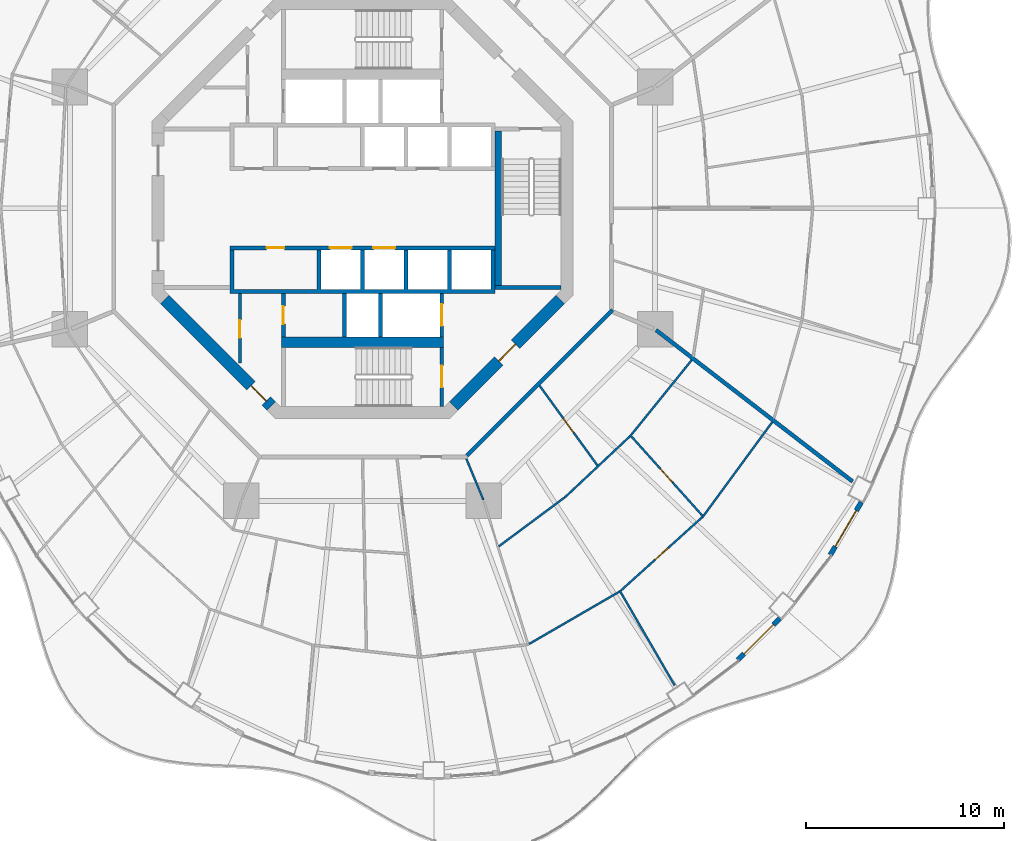
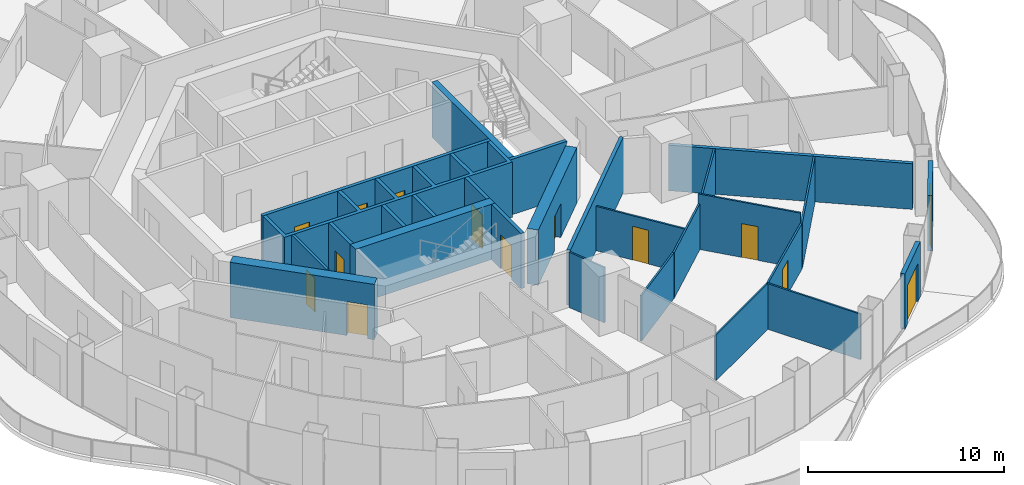
# One storey, part 12 of 19: 27 walls, 14 doors, 14 openings.
"""IFC4 building model written with IfcOpenShell, lengths in metres."""

from ifc_helpers import new_model, si_unit, direction, frame, frame_2d, origin, place, context, subcontext, project, spatial, polyline, rectangle, outline, extrude, material, layer, layer_set, type_object, element, fill, save


model = new_model("IFC4")

# Units and contexts
model_context = context("Model", 3, precision=1e-05, world=origin(), true_north=direction((0.0, 1.0)))
body_context = subcontext(model_context, "Body", "Model", "MODEL_VIEW")
ifc_project = project(units=[si_unit("LENGTHUNIT", "METRE"), si_unit("AREAUNIT", "SQUARE_METRE"), si_unit("VOLUMEUNIT", "CUBIC_METRE"), si_unit("PLANEANGLEUNIT", "RADIAN"), si_unit("MASSUNIT", "GRAM", prefix="KILO")], contexts=[model_context])

# Site, building, storey
site_placement = place(None, origin())
site = spatial("IfcSite", under=ifc_project, at=site_placement, CompositionType="ELEMENT")
building_placement = place(site_placement, origin())
building = spatial("IfcBuilding", under=site, at=building_placement, Name="Nagisa Residences", CompositionType="ELEMENT")
storey_placement = place(building_placement, frame((0.0, 0.0, 180.699951171875)))
storey = spatial("IfcBuildingStorey", under=building, at=storey_placement, Name="L45", CompositionType="ELEMENT", Elevation=180.699951171875)

# Walls
ifc_material_1 = material(Name="Gypsum board on steel studs", Category="steel")
ifc_layer_1 = layer(ifc_material_1, 0.199951171875)
ifc_layer_set_1 = layer_set([ifc_layer_1], Name="Apartment compartment wall EI60 200")
wall_type_1 = type_object("IfcWallType", Name="Apartment compartment wall EI60 200", PredefinedType="PARTITIONING", material=ifc_layer_set_1)
wall_1_placement = place(storey_placement, frame((14.82177734375, -6.153564453125, 0.0), z_axis=(0.0, 0.0, 1.0), x_axis=(0.792203056092, -0.610257583254, 0.0)))
element("IfcWall", 1, at=wall_1_placement, inside=storey, type_object=wall_type_1, Name="wall:L45:u07", PredefinedType="PARTITIONING", context=body_context, shape_type="SweptSolid", body=[
    extrude(rectangle(XDim=12.53271484375, YDim=0.199951171875, at=frame_2d((6.266357421875, 0.0))), origin(), (0.0, 0.0, 1.0), 2.837158203125),
])
ifc_material_2 = material(Name="Gypsum board on steel studs", Category="steel")
ifc_layer_2 = layer(ifc_material_2, 0.199951171875)
ifc_layer_set_2 = layer_set([ifc_layer_2], Name="Apartment entry wall EI60 200")
wall_type_2 = type_object("IfcWallType", Name="Apartment entry wall EI60 200", PredefinedType="PARTITIONING", material=ifc_layer_set_2)
wall_2_placement = place(storey_placement, frame((5.275146484375, -12.494140625, 0.0), z_axis=(0.0, 0.0, 1.0), x_axis=(0.707106781187, 0.707106781187, 0.0)))
element("IfcWall", 2, at=wall_2_placement, inside=storey, type_object=wall_type_2, Name="wall:L45:u15", PredefinedType="PARTITIONING", context=body_context, shape_type="SweptSolid", body=[
    extrude(rectangle(XDim=10.4091796875, YDim=0.199951171875, at=frame_2d((5.20458984375, 0.0))), origin(), (0.0, 0.0, 1.0), 3.43994140625),
])
ifc_material_3 = material(Name="Gypsum board on steel studs", Category="steel")
ifc_layer_3 = layer(ifc_material_3, 0.10009765625)
ifc_layer_set_3 = layer_set([ifc_layer_3], Name="Apartment partition 100")
wall_type_3 = type_object("IfcWallType", Name="Apartment partition 100", PredefinedType="PARTITIONING", material=ifc_layer_set_3)
wall_3_placement = place(storey_placement, frame((5.24267578125, -12.6572265625, 0.0), z_axis=(0.0, 0.0, 1.0), x_axis=(0.382719158442, -0.923864733477, 0.0)))
element("IfcWall", 3, at=wall_3_placement, inside=storey, type_object=wall_type_3, Name="wall:L45:u77", PredefinedType="PARTITIONING", context=body_context, shape_type="SweptSolid", body=[
    extrude(rectangle(XDim=2.25, YDim=0.10009765625, at=frame_2d((1.125, 0.0))), origin(), (0.0, 0.0, 1.0), 3.43994140625),
])
wall_4_placement = place(storey_placement, frame((6.881103515625, -17.07958984375, 0.0), z_axis=(0.0, 0.0, 1.0), x_axis=(0.802784956441, 0.596268659005, 0.0)))
element("IfcWall", 4, at=wall_4_placement, inside=storey, type_object=wall_type_3, Name="wall:L45:u79", PredefinedType="PARTITIONING", context=body_context, shape_type="SweptSolid", body=[
    extrude(rectangle(XDim=4.142333984375, YDim=0.10009765625, at=frame_2d((2.0712890625, 0.0))), origin(), (0.0, 0.0, 1.0), 2.837158203125),
])
wall_5_placement = place(storey_placement, frame((8.405029296875, -22.01318359375, 0.0), z_axis=(0.0, 0.0, 1.0), x_axis=(0.865277177388, 0.501293732547, 0.0)))
element("IfcWall", 5, at=wall_5_placement, inside=storey, type_object=wall_type_3, Name="wall:L45:u80", PredefinedType="PARTITIONING", context=body_context, shape_type="SweptSolid", body=[
    extrude(rectangle(XDim=5.27001953125, YDim=0.10009765625, at=frame_2d((2.635009765625, 0.0))), origin(), (0.0, 0.0, 1.0), 2.837158203125),
])
wall_6_placement = place(storey_placement, frame((10.21044921875, -14.614013671875, 0.0), z_axis=(0.0, 0.0, 1.0), x_axis=(0.728883199496, 0.684638066055, 0.0)))
element("IfcWall", 6, at=wall_6_placement, inside=storey, type_object=wall_type_3, Name="wall:L45:u81", PredefinedType="PARTITIONING", context=body_context, shape_type="SweptSolid", body=[
    extrude(rectangle(XDim=4.519287109375, YDim=0.10009765625, at=frame_2d((2.259765625, 0.0))), origin(), (0.0, 0.0, 1.0), 2.837158203125),
])
wall_7_placement = place(storey_placement, frame((12.983154296875, -19.302978515625, 0.0), z_axis=(0.0, 0.0, 1.0), x_axis=(0.501315846071, -0.865264365659, 0.0)))
element("IfcWall", 7, at=wall_7_placement, inside=storey, type_object=wall_type_3, Name="wall:L45:u82", PredefinedType="PARTITIONING", context=body_context, shape_type="SweptSolid", body=[
    extrude(rectangle(XDim=5.54150390625, YDim=0.10009765625, at=frame_2d((2.770751953125, 0.0))), origin(), (0.0, 0.0, 1.0), 2.837158203125),
])

# Wall, opening, door
wall_8_placement = place(storey_placement, frame((13.04541015625, -19.312744140625, 0.0), z_axis=(0.0, 0.0, 1.0), x_axis=(0.742790086539, 0.66952437397, 0.0)))
wall_8 = element("IfcWall", 8, at=wall_8_placement, inside=storey, type_object=wall_type_3, Name="wall:L45:u83", PredefinedType="PARTITIONING", context=body_context, shape_type="SweptSolid", body=[
    extrude(rectangle(XDim=5.54150390625, YDim=0.10009765625, at=frame_2d((2.770751953125, 0.0))), origin(), (0.0, 0.0, 1.0), 2.837158203125),
])
opening_1_placement = place(wall_8_placement, frame((2.32080078125, 0.0, 0.0)))
opening_1 = element("IfcOpeningElement", 9, at=opening_1_placement, cuts=wall_8, Name="Opening L45-U26", PredefinedType="OPENING", context=body_context, shape_type="SweptSolid", body=[
    extrude(rectangle(XDim=0.89990234375, YDim=2.10009765625, at=frame_2d((0.449951171875, 1.050048828125))), frame((0.0, 0.06005859375, 0.0), z_axis=(0.0, -1.0, 0.0), x_axis=(1.0, 0.0, 0.0)), (0.0, 0.0, 1.0), 0.1201171875),
])
ifc_material_4 = material(Name="Timber door set", Category="wood")
door_type_1 = type_object("IfcDoorType", Name="Apartment door 900x2100", OperationType="NOTDEFINED", PredefinedType="DOOR", material=ifc_material_4)
door_1_placement = place(opening_1_placement, frame((0.89990234375, 0.0, 0.0), x_axis=(-1.0, 0.0, 0.0)))
door_1 = element("IfcDoor", 10, at=door_1_placement, inside=storey, type_object=door_type_1, Name="Door to family room, Apartment 45B", OperationType="SINGLE_SWING_LEFT", OverallHeight=2.10009765625, OverallWidth=0.89990234375, PredefinedType="DOOR", context=body_context, shape_type="SweptSolid", body=[
    extrude(rectangle(XDim=0.89990234375, YDim=2.10009765625, at=frame_2d((0.449951171875, 1.050048828125))), frame((0.0, 0.02490234375, 0.0), z_axis=(0.0, -1.0, 0.0), x_axis=(1.0, 0.0, 0.0)), (0.0, 0.0, 1.0), 0.050048828125),
])
fill(opening_1, door_1)

wall_9_placement = place(storey_placement, frame((8.943359375, -8.965576171875, 0.0), z_axis=(0.0, 0.0, 1.0), x_axis=(0.587187896734, -0.809450661825, 0.0)))
wall_9 = element("IfcWall", 11, at=wall_9_placement, inside=storey, type_object=wall_type_3, Name="wall:L45:u84", PredefinedType="PARTITIONING", context=body_context, shape_type="SweptSolid", body=[
    extrude(rectangle(XDim=4.974853515625, YDim=0.10009765625, at=frame_2d((2.4873046875, 0.0))), origin(), (0.0, 0.0, 1.0), 2.756103515625),
])
opening_2_placement = place(wall_9_placement, frame((2.037353515625, 0.0, 0.0)))
opening_2 = element("IfcOpeningElement", 12, at=opening_2_placement, cuts=wall_9, Name="Opening L45-U20", PredefinedType="OPENING", context=body_context, shape_type="SweptSolid", body=[
    extrude(rectangle(XDim=0.89990234375, YDim=2.10009765625, at=frame_2d((0.449951171875, 1.050048828125))), frame((0.0, 0.06005859375, 0.0), z_axis=(0.0, -1.0, 0.0), x_axis=(1.0, 0.0, 0.0)), (0.0, 0.0, 1.0), 0.1201171875),
])
door_2_placement = place(opening_2_placement, origin())
door_2 = element("IfcDoor", 13, at=door_2_placement, inside=storey, type_object=door_type_1, Name="Door to store, Apartment 45B", OperationType="SINGLE_SWING_RIGHT", OverallHeight=2.10009765625, OverallWidth=0.89990234375, PredefinedType="DOOR", context=body_context, shape_type="SweptSolid", body=[
    extrude(rectangle(XDim=0.89990234375, YDim=2.10009765625, at=frame_2d((0.449951171875, 1.050048828125))), frame((0.0, 0.02490234375, 0.0), z_axis=(0.0, -1.0, 0.0), x_axis=(1.0, 0.0, 0.0)), (0.0, 0.0, 1.0), 0.050048828125),
])
fill(opening_2, door_2)

wall_10_placement = place(storey_placement, frame((13.50732421875, -11.44873046875, 0.0), z_axis=(0.0, 0.0, 1.0), x_axis=(0.667299792168, -0.744789223453, 0.0)))
wall_10 = element("IfcWall", 14, at=wall_10_placement, inside=storey, type_object=wall_type_3, Name="wall:L45:u85", PredefinedType="PARTITIONING", context=body_context, shape_type="SweptSolid", body=[
    extrude(rectangle(XDim=5.482177734375, YDim=0.10009765625, at=frame_2d((2.7412109375, 0.0))), origin(), (0.0, 0.0, 1.0), 3.43994140625),
])
opening_3_placement = place(wall_10_placement, frame((2.316162109375, 0.0, 0.0)))
opening_3 = element("IfcOpeningElement", 15, at=opening_3_placement, cuts=wall_10, Name="Opening L45-U23", PredefinedType="OPENING", context=body_context, shape_type="SweptSolid", body=[
    extrude(rectangle(XDim=0.89990234375, YDim=2.10009765625, at=frame_2d((0.449951171875, 1.050048828125))), frame((0.0, 0.06005859375, 0.0), z_axis=(0.0, -1.0, 0.0), x_axis=(1.0, 0.0, 0.0)), (0.0, 0.0, 1.0), 0.1201171875),
])
door_3_placement = place(opening_3_placement, origin())
door_3 = element("IfcDoor", 16, at=door_3_placement, inside=storey, type_object=door_type_1, Name="Door to kitchen, Apartment 45B", OperationType="SINGLE_SWING_LEFT", OverallHeight=2.10009765625, OverallWidth=0.89990234375, PredefinedType="DOOR", context=body_context, shape_type="SweptSolid", body=[
    extrude(rectangle(XDim=0.89990234375, YDim=2.10009765625, at=frame_2d((0.449951171875, 1.050048828125))), frame((0.0, 0.02490234375, 0.0), z_axis=(0.0, -1.0, 0.0), x_axis=(1.0, 0.0, 0.0)), (0.0, 0.0, 1.0), 0.050048828125),
])
fill(opening_3, door_3)

# Walls
wall_11_placement = place(storey_placement, frame((13.572265625, -11.447021484375, 0.0), z_axis=(0.0, 0.0, 1.0), x_axis=(0.628738316533, 0.777616955399, 0.0)))
element("IfcWall", 17, at=wall_11_placement, inside=storey, type_object=wall_type_3, Name="wall:L45:u86", PredefinedType="PARTITIONING", context=body_context, shape_type="SweptSolid", body=[
    extrude(rectangle(XDim=4.857177734375, YDim=0.10009765625, at=frame_2d((2.4287109375, 0.0))), origin(), (0.0, 0.0, 1.0), 2.837158203125),
])
wall_12_placement = place(storey_placement, frame((17.169189453125, -15.609375, 0.0), z_axis=(0.0, 0.0, 1.0), x_axis=(0.591122127251, 0.806582066918, 0.0)))
element("IfcWall", 18, at=wall_12_placement, inside=storey, type_object=wall_type_3, Name="wall:L45:u87", PredefinedType="PARTITIONING", context=body_context, shape_type="SweptSolid", body=[
    extrude(rectangle(XDim=5.960205078125, YDim=0.10009765625, at=frame_2d((2.97998046875, 0.0))), origin(), (0.0, 0.0, 1.0), 2.837158203125),
])

# Wall, opening, door
ifc_material_5 = material(Name="Precast concrete C40/50", Category="concrete")
ifc_layer_4 = layer(ifc_material_5, 0.25)
ifc_layer_set_4 = layer_set([ifc_layer_4], Name="BALCONY DOOR WALL 250")
wall_type_4 = type_object("IfcWallType", Name="BALCONY DOOR WALL 250", PredefinedType="SOLIDWALL", material=ifc_layer_set_4)
wall_13_placement = place(storey_placement, frame((21.065185546875, -20.7177734375, 0.0), z_axis=(0.0, 0.0, 1.0), x_axis=(-0.707844845069, -0.706367946122, 0.0)))
wall_13 = element("IfcWall", 19, at=wall_13_placement, inside=storey, type_object=wall_type_4, Name="wall:L45:bay41", PredefinedType="SOLIDWALL", context=body_context, shape_type="SweptSolid", body=[
    extrude(rectangle(XDim=2.9755859375, YDim=0.25, at=frame_2d((1.48779296875, 0.0))), origin(), (0.0, 0.0, 1.0), 3.43994140625),
])
opening_4_placement = place(wall_13_placement, frame((0.437744140625, 0.0, 0.0)))
opening_4 = element("IfcOpeningElement", 20, at=opening_4_placement, cuts=wall_13, Name="Opening BD-L45-14", PredefinedType="OPENING", context=body_context, shape_type="SweptSolid", body=[
    extrude(rectangle(XDim=2.10009765625, YDim=2.39990234375, at=frame_2d((1.050048828125, 1.199951171875))), frame((0.0, 0.135009765625, 0.0), z_axis=(0.0, -1.0, 0.0), x_axis=(1.0, 0.0, 0.0)), (0.0, 0.0, 1.0), 0.27001953125),
])
ifc_material_6 = material(Name="Aluminium and clear glass", Category="aluminium")
door_type_2 = type_object("IfcDoorType", Name="BALCONY SLIDING DOOR 2100x2400", OperationType="SLIDING_TO_LEFT", PredefinedType="DOOR", material=ifc_material_6)
door_4_placement = place(opening_4_placement, origin())
door_4 = element("IfcDoor", 21, at=door_4_placement, inside=storey, type_object=door_type_2, Name="door:L45:bay41", OperationType="SLIDING_TO_LEFT", OverallHeight=2.39990234375, OverallWidth=2.10009765625, PredefinedType="DOOR", context=body_context, shape_type="SweptSolid", body=[
    extrude(rectangle(XDim=2.10009765625, YDim=2.39990234375, at=frame_2d((1.050048828125, 1.199951171875))), frame((0.0, 0.02490234375, 0.0), z_axis=(0.0, -1.0, 0.0), x_axis=(1.0, 0.0, 0.0)), (0.0, 0.0, 1.0), 0.050048828125),
])
fill(opening_4, door_4)

wall_14_placement = place(storey_placement, frame((25.189208984375, -14.848388671875, 0.0), z_axis=(0.0, 0.0, 1.0), x_axis=(-0.506367803691, -0.862317602386, 0.0)))
wall_14 = element("IfcWall", 22, at=wall_14_placement, inside=storey, type_object=wall_type_4, Name="wall:L45:bay43", PredefinedType="SOLIDWALL", context=body_context, shape_type="SweptSolid", body=[
    extrude(rectangle(XDim=3.092041015625, YDim=0.25, at=frame_2d((1.5458984375, 0.0))), origin(), (0.0, 0.0, 1.0), 3.43994140625),
])
opening_5_placement = place(wall_14_placement, frame((0.495849609375, 0.0, 0.0)))
opening_5 = element("IfcOpeningElement", 23, at=opening_5_placement, cuts=wall_14, Name="Opening BD-L45-15", PredefinedType="OPENING", context=body_context, shape_type="SweptSolid", body=[
    extrude(rectangle(XDim=2.10009765625, YDim=2.39990234375, at=frame_2d((1.050048828125, 1.199951171875))), frame((0.0, 0.135009765625, 0.0), z_axis=(0.0, -1.0, 0.0), x_axis=(1.0, 0.0, 0.0)), (0.0, 0.0, 1.0), 0.27001953125),
])
door_5_placement = place(opening_5_placement, origin())
door_5 = element("IfcDoor", 24, at=door_5_placement, inside=storey, type_object=door_type_2, Name="door:L45:bay43", OperationType="SLIDING_TO_LEFT", OverallHeight=2.39990234375, OverallWidth=2.10009765625, PredefinedType="DOOR", context=body_context, shape_type="SweptSolid", body=[
    extrude(rectangle(XDim=2.10009765625, YDim=2.39990234375, at=frame_2d((1.050048828125, 1.199951171875))), frame((0.0, 0.02490234375, 0.0), z_axis=(0.0, -1.0, 0.0), x_axis=(1.0, 0.0, 0.0)), (0.0, 0.0, 1.0), 0.050048828125),
])
fill(opening_5, door_5)

ifc_material_7 = material(Name="Gypsum board on steel studs", Category="steel")
ifc_layer_5 = layer(ifc_material_7, 0.14990234375)
ifc_layer_set_5 = layer_set([ifc_layer_5], Name="Core partition 150")
wall_type_5 = type_object("IfcWallType", Name="Core partition 150", PredefinedType="PARTITIONING", material=ifc_layer_set_5)
wall_15_placement = place(storey_placement, frame((-6.199951171875, -7.826904296875, 0.0), z_axis=(0.0, 0.0, 1.0), x_axis=(0.0, 1.0, 0.0)))
wall_15 = element("IfcWall", 25, at=wall_15_placement, inside=storey, type_object=wall_type_5, Name="wall:L45:SWp", PredefinedType="PARTITIONING", context=body_context, shape_type="SweptSolid", body=[
    extrude(rectangle(XDim=3.52685546875, YDim=0.14990234375, at=frame_2d((1.763427734375, 0.0))), origin(), (0.0, 0.0, 1.0), 3.43994140625),
])
opening_6_placement = place(wall_15_placement, frame((1.27587890625, 0.0, 0.0)))
opening_6 = element("IfcOpeningElement", 26, at=opening_6_placement, cuts=wall_15, Name="Opening L45-C13", PredefinedType="OPENING", context=body_context, shape_type="SweptSolid", body=[
    extrude(rectangle(XDim=0.89990234375, YDim=2.10009765625, at=frame_2d((0.449951171875, 1.050048828125))), frame((0.0, 0.0849609375, 0.0), z_axis=(0.0, -1.0, 0.0), x_axis=(1.0, 0.0, 0.0)), (0.0, 0.0, 1.0), 0.169921875),
])
ifc_material_8 = material(Name="Steel fire door", Category="steel")
door_type_3 = type_object("IfcDoorType", Name="Fire door EI30 900x2100 single swing", OperationType="NOTDEFINED", PredefinedType="DOOR", material=ifc_material_8)
door_6_placement = place(opening_6_placement, origin())
door_6 = element("IfcDoor", 27, at=door_6_placement, inside=storey, type_object=door_type_3, Name="Telecom room door L45", OperationType="SINGLE_SWING_RIGHT", OverallHeight=2.10009765625, OverallWidth=0.89990234375, PredefinedType="DOOR", context=body_context, shape_type="SweptSolid", body=[
    extrude(rectangle(XDim=0.89990234375, YDim=2.10009765625, at=frame_2d((0.449951171875, 1.050048828125))), frame((0.0, 0.02490234375, 0.0), z_axis=(0.0, -1.0, 0.0), x_axis=(1.0, 0.0, 0.0)), (0.0, 0.0, 1.0), 0.050048828125),
])
fill(opening_6, door_6)

ifc_material_9 = material(Name="Concrete C60", Category="concrete")
ifc_layer_6 = layer(ifc_material_9, 0.60009765625)
ifc_layer_set_6 = layer_set([ifc_layer_6], Name="Core shear wall 600")
wall_type_6 = type_object("IfcWallType", Name="Core shear wall 600", PredefinedType="SHEAR", material=ifc_layer_set_6)
wall_16_placement = place(storey_placement, frame((-9.98828125, -4.613037109375, 0.0), z_axis=(0.0, 0.0, 1.0), x_axis=(0.707106781187, -0.707106781187, 0.0)))
wall_16 = element("IfcWall", 28, at=wall_16_placement, inside=storey, type_object=wall_type_6, Name="wall:L45:core:flat5", PredefinedType="SHEAR", context=body_context, shape_type="SweptSolid", body=[
    extrude(rectangle(XDim=7.601806640625, YDim=0.60009765625, at=frame_2d((3.80078125, 0.0))), origin(), (0.0, 0.0, 1.0), 3.43994140625),
])
opening_7_placement = place(wall_16_placement, frame((6.15087890625, 0.0, 0.0)))
opening_7 = element("IfcOpeningElement", 29, at=opening_7_placement, cuts=wall_16, Name="Opening L45-C23", PredefinedType="OPENING", context=body_context, shape_type="SweptSolid", body=[
    extrude(rectangle(XDim=1.10009765625, YDim=2.10009765625, at=frame_2d((0.550048828125, 1.050048828125))), frame((0.0, 0.31005859375, 0.0), z_axis=(0.0, -1.0, 0.0), x_axis=(1.0, 0.0, 0.0)), (0.0, 0.0, 1.0), 0.6201171875),
])
ifc_material_10 = material(Name="Steel fire door", Category="steel")
door_type_4 = type_object("IfcDoorType", Name="Fire door EI60 1100x2100 single swing", OperationType="NOTDEFINED", PredefinedType="DOOR", material=ifc_material_10)
door_7_placement = place(opening_7_placement, origin())
door_7 = element("IfcDoor", 30, at=door_7_placement, inside=storey, type_object=door_type_4, Name="Housekeeping lobby door L45", OperationType="SINGLE_SWING_LEFT", OverallHeight=2.10009765625, OverallWidth=1.10009765625, PredefinedType="DOOR", context=body_context, shape_type="SweptSolid", body=[
    extrude(rectangle(XDim=1.10009765625, YDim=2.10009765625, at=frame_2d((0.550048828125, 1.050048828125))), frame((0.0, 0.02490234375, 0.0), z_axis=(0.0, -1.0, 0.0), x_axis=(1.0, 0.0, 0.0)), (0.0, 0.0, 1.0), 0.050048828125),
])
fill(opening_7, door_7)

wall_17_placement = place(storey_placement, frame((4.613037109375, -9.98828125, 0.0), z_axis=(0.0, 0.0, 1.0), x_axis=(0.707106781187, 0.707106781187, 0.0)))
wall_17 = element("IfcWall", 31, at=wall_17_placement, inside=storey, type_object=wall_type_6, Name="wall:L45:core:flat7", PredefinedType="SHEAR", context=body_context, shape_type="SweptSolid", body=[
    extrude(rectangle(XDim=7.601806640625, YDim=0.60009765625, at=frame_2d((3.80078125, 0.0))), origin(), (0.0, 0.0, 1.0), 3.43994140625),
])
opening_8_placement = place(wall_17_placement, frame((3.200927734375, 0.0, 0.0)))
opening_8 = element("IfcOpeningElement", 32, at=opening_8_placement, cuts=wall_17, Name="Opening L45-C19", PredefinedType="OPENING", context=body_context, shape_type="SweptSolid", body=[
    extrude(rectangle(XDim=1.199951171875, YDim=2.10009765625, at=frame_2d((0.60009765625, 1.050048828125))), frame((0.0, 0.31005859375, 0.0), z_axis=(0.0, -1.0, 0.0), x_axis=(1.0, 0.0, 0.0)), (0.0, 0.0, 1.0), 0.6201171875),
])
ifc_material_11 = material(Name="Steel fire door", Category="steel")
door_type_5 = type_object("IfcDoorType", Name="Fire door EI60 1200x2100 single swing", OperationType="NOTDEFINED", PredefinedType="DOOR", material=ifc_material_11)
door_8_placement = place(opening_8_placement, origin())
door_8 = element("IfcDoor", 33, at=door_8_placement, inside=storey, type_object=door_type_5, Name="Firefighting lobby 2 door L45", OperationType="SINGLE_SWING_LEFT", OverallHeight=2.10009765625, OverallWidth=1.199951171875, PredefinedType="DOOR", context=body_context, shape_type="SweptSolid", body=[
    extrude(rectangle(XDim=1.199951171875, YDim=2.10009765625, at=frame_2d((0.60009765625, 1.050048828125))), frame((0.0, 0.02490234375, 0.0), z_axis=(0.0, -1.0, 0.0), x_axis=(1.0, 0.0, 0.0)), (0.0, 0.0, 1.0), 0.050048828125),
])
fill(opening_8, door_8)

ifc_material_12 = material(Name="Concrete C60", Category="concrete")
ifc_layer_7 = layer(ifc_material_12, 0.199951171875)
ifc_layer_set_7 = layer_set([ifc_layer_7], Name="Lift shaft wall 200")
wall_type_7 = type_object("IfcWallType", Name="Lift shaft wall 200", PredefinedType="SOLIDWALL", material=ifc_layer_set_7)
wall_18_placement = place(storey_placement, frame((4.0, -6.5, 0.0), z_axis=(0.0, 0.0, 1.0), x_axis=(0.0, 1.0, 0.0)))
wall_18 = element("IfcWall", 34, at=wall_18_placement, inside=storey, type_object=wall_type_7, Name="wall:L45:Sb3", PredefinedType="SOLIDWALL", context=body_context, shape_type="SweptSolid", body=[
    extrude(rectangle(XDim=2.199951171875, YDim=0.199951171875, at=frame_2d((1.10009765625, 0.0))), origin(), (0.0, 0.0, 1.0), 3.43994140625),
])
opening_9_placement = place(wall_18_placement, frame((0.550048828125, 0.0, 0.0)))
opening_9 = element("IfcOpeningElement", 35, at=opening_9_placement, cuts=wall_18, Name="Opening L45-C06", PredefinedType="OPENING", context=body_context, shape_type="SweptSolid", body=[
    extrude(rectangle(XDim=1.10009765625, YDim=2.10009765625, at=frame_2d((0.550048828125, 1.050048828125))), frame((0.0, 0.10986328125, 0.0), z_axis=(0.0, -1.0, 0.0), x_axis=(1.0, 0.0, 0.0)), (0.0, 0.0, 1.0), 0.219970703125),
])
ifc_material_13 = material(Name="Stainless steel", Category="steel")
door_type_6 = type_object("IfcDoorType", Name="Lift landing door 1100x2100", OperationType="DOUBLE_DOOR_SLIDING", PredefinedType="DOOR", material=ifc_material_13)
door_9_placement = place(opening_9_placement, origin())
door_9 = element("IfcDoor", 36, at=door_9_placement, inside=storey, type_object=door_type_6, Name="Landing door FL2 L45", OperationType="DOUBLE_DOOR_SLIDING", OverallHeight=2.10009765625, OverallWidth=1.10009765625, PredefinedType="DOOR", context=body_context, shape_type="SweptSolid", body=[
    extrude(rectangle(XDim=1.10009765625, YDim=2.10009765625, at=frame_2d((0.550048828125, 1.050048828125))), frame((0.0, 0.02490234375, 0.0), z_axis=(0.0, -1.0, 0.0), x_axis=(1.0, 0.0, 0.0)), (0.0, 0.0, 1.0), 0.050048828125),
])
fill(opening_9, door_9)

wall_19_placement = place(storey_placement, frame((-4.0, -6.5, 0.0), z_axis=(0.0, 0.0, 1.0), x_axis=(0.0, 1.0, 0.0)))
wall_19 = element("IfcWall", 37, at=wall_19_placement, inside=storey, type_object=wall_type_7, Name="wall:L45:Sb4", PredefinedType="SOLIDWALL", context=body_context, shape_type="SweptSolid", body=[
    extrude(rectangle(XDim=2.199951171875, YDim=0.199951171875, at=frame_2d((1.10009765625, 0.0))), origin(), (0.0, 0.0, 1.0), 3.43994140625),
])
opening_10_placement = place(wall_19_placement, frame((0.64990234375, 0.0, 0.0)))
opening_10 = element("IfcOpeningElement", 38, at=opening_10_placement, cuts=wall_19, Name="Opening L45-C14", PredefinedType="OPENING", context=body_context, shape_type="SweptSolid", body=[
    extrude(rectangle(XDim=0.89990234375, YDim=2.10009765625, at=frame_2d((0.449951171875, 1.050048828125))), frame((0.0, 0.10986328125, 0.0), z_axis=(0.0, -1.0, 0.0), x_axis=(1.0, 0.0, 0.0)), (0.0, 0.0, 1.0), 0.219970703125),
])
door_10_placement = place(opening_10_placement, frame((0.89990234375, 0.0, 0.0), x_axis=(-1.0, 0.0, 0.0)))
door_10 = element("IfcDoor", 39, at=door_10_placement, inside=storey, type_object=door_type_3, Name="Refuse room door L45", OperationType="SINGLE_SWING_RIGHT", OverallHeight=2.10009765625, OverallWidth=0.89990234375, PredefinedType="DOOR", context=body_context, shape_type="SweptSolid", body=[
    extrude(rectangle(XDim=0.89990234375, YDim=2.10009765625, at=frame_2d((0.449951171875, 1.050048828125))), frame((0.0, 0.02490234375, 0.0), z_axis=(0.0, -1.0, 0.0), x_axis=(1.0, 0.0, 0.0)), (0.0, 0.0, 1.0), 0.050048828125),
])
fill(opening_10, door_10)

# Wall, openings, doors
wall_20_placement = place(storey_placement, frame((-6.699951171875, -2.0, 0.0), z_axis=(0.0, 0.0, 1.0), x_axis=(1.0, 0.0, 0.0)))
wall_20 = element("IfcWall", 40, at=wall_20_placement, inside=storey, type_object=wall_type_7, Name="wall:L45:Sfront", PredefinedType="SOLIDWALL", context=body_context, shape_type="SweptSolid", body=[
    extrude(rectangle(XDim=13.39990234375, YDim=0.199951171875, at=frame_2d((6.699951171875, 0.0))), origin(), (0.0, 0.0, 1.0), 3.43994140625),
])
opening_11_placement = place(wall_20_placement, frame((5.050048828125, 0.0, 0.0)))
opening_11 = element("IfcOpeningElement", 41, at=opening_11_placement, cuts=wall_20, Name="Opening L45-C03", PredefinedType="OPENING", context=body_context, shape_type="SweptSolid", body=[
    extrude(rectangle(XDim=1.10009765625, YDim=2.10009765625, at=frame_2d((0.550048828125, 1.050048828125))), frame((0.0, 0.10986328125, 0.0), z_axis=(0.0, -1.0, 0.0), x_axis=(1.0, 0.0, 0.0)), (0.0, 0.0, 1.0), 0.219970703125),
])
opening_12_placement = place(wall_20_placement, frame((7.25, 0.0, 0.0)))
opening_12 = element("IfcOpeningElement", 42, at=opening_12_placement, cuts=wall_20, Name="Opening L45-C04", PredefinedType="OPENING", context=body_context, shape_type="SweptSolid", body=[
    extrude(rectangle(XDim=1.10009765625, YDim=2.10009765625, at=frame_2d((0.550048828125, 1.050048828125))), frame((0.0, 0.10986328125, 0.0), z_axis=(0.0, -1.0, 0.0), x_axis=(1.0, 0.0, 0.0)), (0.0, 0.0, 1.0), 0.219970703125),
])
opening_13_placement = place(wall_20_placement, frame((1.85009765625, 0.0, 0.0)))
opening_13 = element("IfcOpeningElement", 43, at=opening_13_placement, cuts=wall_20, Name="Opening L45-C17", PredefinedType="OPENING", context=body_context, shape_type="SweptSolid", body=[
    extrude(rectangle(XDim=0.89990234375, YDim=2.10009765625, at=frame_2d((0.449951171875, 1.050048828125))), frame((0.0, 0.10986328125, 0.0), z_axis=(0.0, -1.0, 0.0), x_axis=(1.0, 0.0, 0.0)), (0.0, 0.0, 1.0), 0.219970703125),
])
door_11_placement = place(opening_13_placement, frame((0.89990234375, 0.0, 0.0), x_axis=(-1.0, 0.0, 0.0)))
door_11 = element("IfcDoor", 44, at=door_11_placement, inside=storey, type_object=door_type_3, Name="Package room door L45", OperationType="SINGLE_SWING_RIGHT", OverallHeight=2.10009765625, OverallWidth=0.89990234375, PredefinedType="DOOR", context=body_context, shape_type="SweptSolid", body=[
    extrude(rectangle(XDim=0.89990234375, YDim=2.10009765625, at=frame_2d((0.449951171875, 1.050048828125))), frame((0.0, 0.02490234375, 0.0), z_axis=(0.0, -1.0, 0.0), x_axis=(1.0, 0.0, 0.0)), (0.0, 0.0, 1.0), 0.050048828125),
])
fill(opening_13, door_11)
door_12_placement = place(opening_11_placement, origin())
door_12 = element("IfcDoor", 45, at=door_12_placement, inside=storey, type_object=door_type_6, Name="Landing door B3 L45", OperationType="DOUBLE_DOOR_SLIDING", OverallHeight=2.10009765625, OverallWidth=1.10009765625, PredefinedType="DOOR", context=body_context, shape_type="SweptSolid", body=[
    extrude(rectangle(XDim=1.10009765625, YDim=2.10009765625, at=frame_2d((0.550048828125, 1.050048828125))), frame((0.0, 0.02490234375, 0.0), z_axis=(0.0, -1.0, 0.0), x_axis=(1.0, 0.0, 0.0)), (0.0, 0.0, 1.0), 0.050048828125),
])
fill(opening_11, door_12)
door_13_placement = place(opening_12_placement, origin())
door_13 = element("IfcDoor", 46, at=door_13_placement, inside=storey, type_object=door_type_6, Name="Landing door B4 L45", OperationType="DOUBLE_DOOR_SLIDING", OverallHeight=2.10009765625, OverallWidth=1.10009765625, PredefinedType="DOOR", context=body_context, shape_type="SweptSolid", body=[
    extrude(rectangle(XDim=1.10009765625, YDim=2.10009765625, at=frame_2d((0.550048828125, 1.050048828125))), frame((0.0, 0.02490234375, 0.0), z_axis=(0.0, -1.0, 0.0), x_axis=(1.0, 0.0, 0.0)), (0.0, 0.0, 1.0), 0.050048828125),
])
fill(opening_12, door_13)

# Walls
for number, where, z_axis, x_axis, name in (
    (47, (-0.89990234375, -6.5, 0.0), (0.0, 0.0, 1.0), (0.0, 1.0, 0.0), "wall:L45:Sb1"),
    (48, (0.89990234375, -6.5, 0.0), (0.0, 0.0, 1.0), (0.0, 1.0, 0.0), "wall:L45:Sb2"),
):
    element("IfcWall", number, at=place(storey_placement, frame(where, z_axis=z_axis, x_axis=x_axis)), inside=storey, type_object=wall_type_7, Name=name, PredefinedType="SOLIDWALL", context=body_context, shape_type="SweptSolid", body=[
        extrude(rectangle(XDim=2.199951171875, YDim=0.199951171875, at=frame_2d((1.10009765625, 0.0))), origin(), (0.0, 0.0, 1.0), 3.43994140625),
    ])
wall_21_placement = place(storey_placement, origin())
element("IfcWall", 49, at=wall_21_placement, inside=storey, type_object=wall_type_7, Name="wall:L45:Sback", PredefinedType="SOLIDWALL", context=body_context, shape_type="SweptSolid", body=[
    extrude(outline(polyline([(-6.699951171875, -2.10009765625), (-6.5, -2.10009765625), (-6.5, -4.10009765625), (-2.300048828125, -4.10009765625), (-2.300048828125, -2.10009765625), (-2.10009765625, -2.10009765625), (-2.10009765625, -4.10009765625), (-0.10009765625, -4.10009765625), (-0.10009765625, -2.10009765625), (0.10009765625, -2.10009765625), (0.10009765625, -4.10009765625), (2.10009765625, -4.10009765625), (2.10009765625, -2.10009765625), (2.300048828125, -2.10009765625), (2.300048828125, -4.10009765625), (4.300048828125, -4.10009765625), (4.300048828125, -2.10009765625), (4.5, -2.10009765625), (4.5, -4.10009765625), (6.5, -4.10009765625), (6.5, -2.10009765625), (6.699951171875, -2.10009765625), (6.699951171875, -4.300048828125), (-6.699951171875, -4.300048828125), (-6.699951171875, -2.10009765625)])), origin(), (0.0, 0.0, 1.0), 3.43994140625),
])

# Wall, opening, door
ifc_material_14 = material(Name="Concrete C60", Category="concrete")
ifc_layer_8 = layer(ifc_material_14, 0.199951171875)
ifc_layer_set_8 = layer_set([ifc_layer_8], Name="Stair enclosure wall 200")
wall_type_8 = type_object("IfcWallType", Name="Stair enclosure wall 200", PredefinedType="SOLIDWALL", material=ifc_layer_set_8)
wall_22_placement = place(storey_placement, frame((4.0, -10.024658203125, 0.0), z_axis=(0.0, 0.0, 1.0), x_axis=(0.0, 1.0, 0.0)))
wall_22 = element("IfcWall", 50, at=wall_22_placement, inside=storey, type_object=wall_type_8, Name="wall:L45:SS_e", PredefinedType="SOLIDWALL", context=body_context, shape_type="SweptSolid", body=[
    extrude(rectangle(XDim=3.0, YDim=0.199951171875, at=frame_2d((1.5, 0.0))), origin(), (0.0, 0.0, 1.0), 3.43994140625),
])
opening_14_placement = place(wall_22_placement, frame((0.974609375, 0.0, 0.0)))
opening_14 = element("IfcOpeningElement", 51, at=opening_14_placement, cuts=wall_22, Name="Opening L45-C10", PredefinedType="OPENING", context=body_context, shape_type="SweptSolid", body=[
    extrude(rectangle(XDim=1.10009765625, YDim=2.10009765625, at=frame_2d((0.550048828125, 1.050048828125))), frame((0.0, 0.10986328125, 0.0), z_axis=(0.0, -1.0, 0.0), x_axis=(1.0, 0.0, 0.0)), (0.0, 0.0, 1.0), 0.219970703125),
])
ifc_material_15 = material(Name="Steel fire door", Category="steel")
door_type_7 = type_object("IfcDoorType", Name="Fire door EI90 1100x2100 single swing", OperationType="NOTDEFINED", PredefinedType="DOOR", material=ifc_material_15)
door_14_placement = place(opening_14_placement, origin())
door_14 = element("IfcDoor", 52, at=door_14_placement, inside=storey, type_object=door_type_7, Name="Stair door ST-S L45", OperationType="SINGLE_SWING_RIGHT", OverallHeight=2.10009765625, OverallWidth=1.10009765625, PredefinedType="DOOR", context=body_context, shape_type="SweptSolid", body=[
    extrude(rectangle(XDim=1.10009765625, YDim=2.10009765625, at=frame_2d((0.550048828125, 1.050048828125))), frame((0.0, 0.02490234375, 0.0), z_axis=(0.0, -1.0, 0.0), x_axis=(1.0, 0.0, 0.0)), (0.0, 0.0, 1.0), 0.050048828125),
])
fill(opening_14, door_14)

# Walls
wall_23_placement = place(storey_placement, origin())
element("IfcWall", 53, at=wall_23_placement, inside=storey, type_object=wall_type_8, Name="wall:L45:SS_n", PredefinedType="SOLIDWALL", context=body_context, shape_type="SweptSolid", body=[
    extrude(outline(polyline([(4.10009765625, -7.024658203125), (-4.10009765625, -7.024658203125), (-4.10009765625, -6.5), (4.10009765625, -6.5), (4.10009765625, -7.024658203125)])), origin(), (0.0, 0.0, 1.0), 3.43994140625),
])
wall_24_placement = place(storey_placement, origin())
element("IfcWall", 54, at=wall_24_placement, inside=storey, type_object=wall_type_8, Name="wall:L45:SE_w", PredefinedType="SOLIDWALL", context=body_context, shape_type="SweptSolid", body=[
    extrude(outline(polyline([(7.024658203125, -3.89990234375), (6.699951171875, -3.89990234375), (6.699951171875, 3.89990234375), (7.024658203125, 3.89990234375), (7.024658203125, -3.89990234375)])), origin(), (0.0, 0.0, 1.0), 3.43994140625),
])
wall_25_placement = place(storey_placement, origin())
element("IfcWall", 55, at=wall_25_placement, inside=storey, type_object=wall_type_8, Name="wall:L45:SE_s", PredefinedType="SOLIDWALL", context=body_context, shape_type="SweptSolid", body=[
    extrude(outline(polyline([(10.024658203125, -4.10009765625), (6.699951171875, -4.10009765625), (6.699951171875, -3.89990234375), (10.024658203125, -3.89990234375), (10.024658203125, -4.10009765625)])), origin(), (0.0, 0.0, 1.0), 3.43994140625),
])

save(model, "model.ifc")
